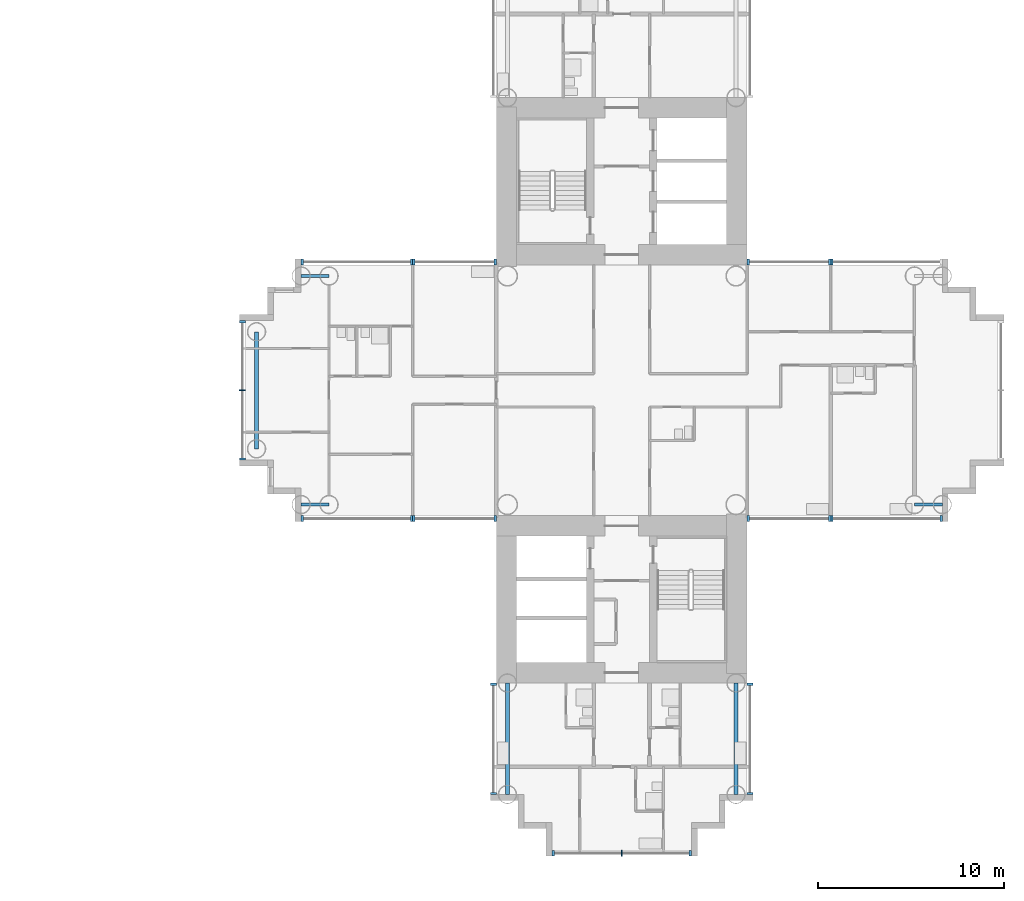
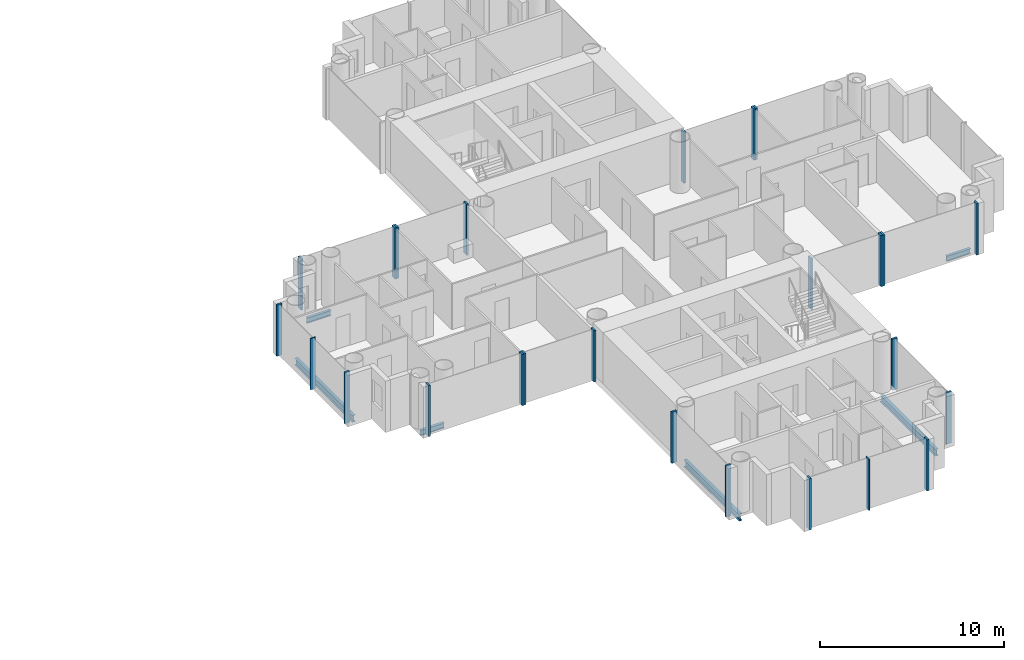
# One storey, part 5 of 22: 25 members, 6 beams, 12 elements without a shape of their own.
"""IFC4 building model written with IfcOpenShell, lengths in metres."""

from ifc_helpers import new_model, si_unit, direction, frame, origin, origin_2d, place, context, subcontext, project, spatial, rectangle, i_section, extrude, material, layer, layer_set, material_profile, profile_set, type_object, element, aggregate, save


model = new_model("IFC4")

# Units and contexts
model_context = context("Model", 3, precision=1e-05, world=origin(), true_north=direction((0.0, 1.0)))
body_context = subcontext(model_context, "Body", "Model", "MODEL_VIEW")
ifc_project = project(units=[si_unit("LENGTHUNIT", "METRE"), si_unit("AREAUNIT", "SQUARE_METRE"), si_unit("VOLUMEUNIT", "CUBIC_METRE"), si_unit("PLANEANGLEUNIT", "RADIAN"), si_unit("MASSUNIT", "GRAM", prefix="KILO")], contexts=[model_context])

# Site, building, storey
site_placement = place(None, origin())
site = spatial("IfcSite", under=ifc_project, at=site_placement, CompositionType="ELEMENT")
building_placement = place(site_placement, origin())
building = spatial("IfcBuilding", under=site, at=building_placement, Name="Ipe Terrace Towers", CompositionType="ELEMENT")
storey_placement = place(building_placement, frame((0.0, 0.0, 61.89990234375)))
storey = spatial("IfcBuildingStorey", under=building, at=storey_placement, Name="L16", CompositionType="ELEMENT", Elevation=61.89990234375)

# Beams
ifc_material_1 = material(Name="Steel S355", Category="steel")
ifc_material_profile_1 = material_profile(ifc_material_1, i_section(OverallWidth=0.175048828125, OverallDepth=0.35009765625, WebThickness=0.007080078125, FlangeThickness=0.010986328125, at=origin_2d()), Name="H-350x175x7x11")
ifc_profile_set_1 = profile_set([ifc_material_profile_1], Name="Steel S355")
beam_type_1 = type_object("IfcBeamType", Name="H04 EDGE BEAM H-350x175x7x11", PredefinedType="BEAM", material=ifc_profile_set_1)
for number, where, z_axis, x_axis, name in (
    (1, (20.25, 6.14990234375, -0.574951171875), (-1.0, 0.0, 0.0), (0.0, -1.0, 0.0), "Edge beam T2-EB-B03-B05"),
    (2, (20.25, -6.14990234375, -0.574951171875), (-1.0, 0.0, 0.0), (0.0, -1.0, 0.0), "Edge beam T2-EB-B04-B06"),
    (3, (51.75, -6.14990234375, -0.574951171875), (1.0, 0.0, 0.0), (0.0, 1.0, 0.0), "Edge beam T2-EB-D03-D05"),
):
    element("IfcBeam", number, at=place(storey_placement, frame(where, z_axis=z_axis, x_axis=x_axis)), inside=storey, type_object=beam_type_1, Name=name, PredefinedType="BEAM", context=body_context, shape_type="SweptSolid", body=[
        extrude(i_section(OverallWidth=0.175048828125, OverallDepth=0.35009765625, WebThickness=0.007080078125, FlangeThickness=0.010986328125, at=origin_2d()), origin(), (0.0, 0.0, 1.0), 1.5),
    ])
ifc_material_2 = material(Name="Steel S355", Category="steel")
ifc_material_profile_2 = material_profile(ifc_material_2, i_section(OverallWidth=0.199951171875, OverallDepth=0.449951171875, WebThickness=0.009033203125, FlangeThickness=0.013916015625, at=origin_2d()), Name="H-450x200x9x14")
ifc_profile_set_2 = profile_set([ifc_material_profile_2], Name="Steel S355")
beam_type_2 = type_object("IfcBeamType", Name="H08 EDGE BEAM H-450x200x9x14", PredefinedType="BEAM", material=ifc_profile_set_2)
beam_placement = place(storey_placement, frame((16.35009765625, 3.14990234375, -0.625), z_axis=(0.0, -1.0, 0.0), x_axis=(1.0, 0.0, 0.0)))
element("IfcBeam", 4, at=beam_placement, inside=storey, type_object=beam_type_2, Name="Edge beam T2-EB-B07-B08", PredefinedType="BEAM", context=body_context, shape_type="SweptSolid", body=[
    extrude(i_section(OverallWidth=0.199951171875, OverallDepth=0.449951171875, WebThickness=0.009033203125, FlangeThickness=0.013916015625, at=origin_2d()), origin(), (0.0, 0.0, 1.0), 6.2998046875),
])
for number, where, z_axis, x_axis, name in (
    (5, (42.14990234375, -15.75, -0.625), (0.0, -1.0, 0.0), (1.0, 0.0, 0.0), "Edge beam T2-EB-C01-C03"),
    (6, (29.85009765625, -15.75, -0.625), (0.0, -1.0, 0.0), (1.0, 0.0, 0.0), "Edge beam T2-EB-C02-C04"),
):
    element("IfcBeam", number, at=place(storey_placement, frame(where, z_axis=z_axis, x_axis=x_axis)), inside=storey, type_object=beam_type_2, Name=name, PredefinedType="BEAM", context=body_context, shape_type="SweptSolid", body=[
        extrude(i_section(OverallWidth=0.199951171875, OverallDepth=0.449951171875, WebThickness=0.009033203125, FlangeThickness=0.013916015625, at=origin_2d()), origin(), (0.0, 0.0, 1.0), 6.0),
    ])

# Curtain wall, members
ifc_material_3 = material(Name="Aluminium alloy 6063-T6", Category="aluminium")
ifc_layer = layer(ifc_material_3, 0.320068359375)
ifc_layer_set = layer_set([ifc_layer], Name="TOWER UNITISED CURTAIN WALL")
curtain_wall_type = type_object("IfcCurtainWallType", Name="TOWER UNITISED CURTAIN WALL", PredefinedType="NOTDEFINED", material=ifc_layer_set)
curtain_wall_1_placement = place(storey_placement, origin())
curtain_wall_1 = element("IfcCurtainWall", 7, at=curtain_wall_1_placement, inside=storey, type_object=curtain_wall_type, Name="T2-CW-L16-04a curtain wall", PredefinedType="NOTDEFINED")
ifc_material_4 = material(Name="Aluminium alloy 6063-T6", Category="aluminium")
ifc_material_profile_3 = material_profile(ifc_material_4, rectangle(XDim=0.320068359375, YDim=0.1201171875, at=origin_2d()), Name="TOWER UNITISED CORNER MULLION 320 x 120")
ifc_profile_set_3 = profile_set([ifc_material_profile_3], Name="Aluminium alloy 6063-T6")
member_type_1 = type_object("IfcMemberType", Name="TOWER UNITISED CORNER MULLION 320 x 120", PredefinedType="MULLION", material=ifc_profile_set_3)
member_1_placement = place(storey_placement, frame((42.909912109375, -21.68994140625, -0.2998046875), z_axis=(0.0, 0.0, 1.0), x_axis=(1.0, 0.0, 0.0)))
member_1 = element("IfcMember", 8, at=member_1_placement, type_object=member_type_1, Name="T2-CW-L16-04a mullion 1", PredefinedType="MULLION", context=body_context, shape_type="SweptSolid", body=[
    extrude(rectangle(XDim=0.320068359375, YDim=0.1201171875, at=origin_2d()), origin(), (0.0, 0.0, 1.0), 3.39990234375),
])
member_2_placement = place(storey_placement, frame((42.909912109375, -15.81103515625, -0.2998046875), z_axis=(0.0, 0.0, 1.0), x_axis=(1.0, 0.0, 0.0)))
member_2 = element("IfcMember", 9, at=member_2_placement, type_object=member_type_1, Name="T2-CW-L16-04a mullion 2", PredefinedType="MULLION", context=body_context, shape_type="SweptSolid", body=[
    extrude(rectangle(XDim=0.320068359375, YDim=0.1201171875, at=origin_2d()), origin(), (0.0, 0.0, 1.0), 3.39990234375),
])
aggregate(curtain_wall_1, [member_1, member_2])

curtain_wall_2_placement = place(storey_placement, origin())
curtain_wall_2 = element("IfcCurtainWall", 10, at=curtain_wall_2_placement, inside=storey, type_object=curtain_wall_type, Name="T2-CW-L16-06a curtain wall", PredefinedType="NOTDEFINED")
member_3_placement = place(storey_placement, frame((42.81005859375, -6.909912109375, -0.2998046875), z_axis=(0.0, 0.0, 1.0), x_axis=(0.0, -1.0, 0.0)))
member_3 = element("IfcMember", 11, at=member_3_placement, type_object=member_type_1, Name="T2-CW-L16-06a mullion 1", PredefinedType="MULLION", context=body_context, shape_type="SweptSolid", body=[
    extrude(rectangle(XDim=0.320068359375, YDim=0.1201171875, at=origin_2d()), origin(), (0.0, 0.0, 1.0), 3.39990234375),
])
member_4_placement = place(storey_placement, frame((47.18994140625, -6.909912109375, -0.2998046875), z_axis=(0.0, 0.0, 1.0), x_axis=(0.0, -1.0, 0.0)))
member_4 = element("IfcMember", 12, at=member_4_placement, type_object=member_type_1, Name="T2-CW-L16-06a mullion 2", PredefinedType="MULLION", context=body_context, shape_type="SweptSolid", body=[
    extrude(rectangle(XDim=0.320068359375, YDim=0.1201171875, at=origin_2d()), origin(), (0.0, 0.0, 1.0), 3.39990234375),
])
aggregate(curtain_wall_2, [member_3, member_4])

curtain_wall_3_placement = place(storey_placement, origin())
curtain_wall_3 = element("IfcCurtainWall", 13, at=curtain_wall_3_placement, inside=storey, type_object=curtain_wall_type, Name="T2-CW-L16-07a curtain wall", PredefinedType="NOTDEFINED")
member_5_placement = place(storey_placement, frame((47.31005859375, -6.909912109375, -0.2998046875), z_axis=(0.0, 0.0, 1.0), x_axis=(0.0, -1.0, 0.0)))
member_5 = element("IfcMember", 14, at=member_5_placement, type_object=member_type_1, Name="T2-CW-L16-07a mullion 1", PredefinedType="MULLION", context=body_context, shape_type="SweptSolid", body=[
    extrude(rectangle(XDim=0.320068359375, YDim=0.1201171875, at=origin_2d()), origin(), (0.0, 0.0, 1.0), 3.39990234375),
])
member_6_placement = place(storey_placement, frame((53.18994140625, -6.909912109375, -0.2998046875), z_axis=(0.0, 0.0, 1.0), x_axis=(0.0, -1.0, 0.0)))
member_6 = element("IfcMember", 15, at=member_6_placement, type_object=member_type_1, Name="T2-CW-L16-07a mullion 2", PredefinedType="MULLION", context=body_context, shape_type="SweptSolid", body=[
    extrude(rectangle(XDim=0.320068359375, YDim=0.1201171875, at=origin_2d()), origin(), (0.0, 0.0, 1.0), 3.39990234375),
])
aggregate(curtain_wall_3, [member_5, member_6])

# Curtain wall, member
curtain_wall_4_placement = place(storey_placement, origin())
curtain_wall_4 = element("IfcCurtainWall", 16, at=curtain_wall_4_placement, inside=storey, type_object=curtain_wall_type, Name="T2-CW-L16-17a curtain wall", PredefinedType="NOTDEFINED")
member_7_placement = place(storey_placement, frame((47.31005859375, 6.909912109375, -0.2998046875), z_axis=(0.0, 0.0, 1.0), x_axis=(0.0, 1.0, 0.0)))
member_7 = element("IfcMember", 17, at=member_7_placement, type_object=member_type_1, Name="T2-CW-L16-17a mullion 2", PredefinedType="MULLION", context=body_context, shape_type="SweptSolid", body=[
    extrude(rectangle(XDim=0.320068359375, YDim=0.1201171875, at=origin_2d()), origin(), (0.0, 0.0, 1.0), 3.39990234375),
])
aggregate(curtain_wall_4, [member_7])

# Curtain wall, members
curtain_wall_5_placement = place(storey_placement, origin())
curtain_wall_5 = element("IfcCurtainWall", 18, at=curtain_wall_5_placement, inside=storey, type_object=curtain_wall_type, Name="T2-CW-L16-18a curtain wall", PredefinedType="NOTDEFINED")
member_8_placement = place(storey_placement, frame((47.18994140625, 6.909912109375, -0.2998046875), z_axis=(0.0, 0.0, 1.0), x_axis=(0.0, 1.0, 0.0)))
member_8 = element("IfcMember", 19, at=member_8_placement, type_object=member_type_1, Name="T2-CW-L16-18a mullion 1", PredefinedType="MULLION", context=body_context, shape_type="SweptSolid", body=[
    extrude(rectangle(XDim=0.320068359375, YDim=0.1201171875, at=origin_2d()), origin(), (0.0, 0.0, 1.0), 3.39990234375),
])
member_9_placement = place(storey_placement, frame((42.81005859375, 6.909912109375, -0.2998046875), z_axis=(0.0, 0.0, 1.0), x_axis=(0.0, 1.0, 0.0)))
member_9 = element("IfcMember", 20, at=member_9_placement, type_object=member_type_1, Name="T2-CW-L16-18a mullion 2", PredefinedType="MULLION", context=body_context, shape_type="SweptSolid", body=[
    extrude(rectangle(XDim=0.320068359375, YDim=0.1201171875, at=origin_2d()), origin(), (0.0, 0.0, 1.0), 3.39990234375),
])
aggregate(curtain_wall_5, [member_8, member_9])

curtain_wall_6_placement = place(storey_placement, origin())
curtain_wall_6 = element("IfcCurtainWall", 21, at=curtain_wall_6_placement, inside=storey, type_object=curtain_wall_type, Name="T2-CW-L16-32a curtain wall", PredefinedType="NOTDEFINED")
member_10_placement = place(storey_placement, frame((29.18994140625, 6.909912109375, -0.2998046875), z_axis=(0.0, 0.0, 1.0), x_axis=(0.0, 1.0, 0.0)))
member_10 = element("IfcMember", 22, at=member_10_placement, type_object=member_type_1, Name="T2-CW-L16-32a mullion 1", PredefinedType="MULLION", context=body_context, shape_type="SweptSolid", body=[
    extrude(rectangle(XDim=0.320068359375, YDim=0.1201171875, at=origin_2d()), origin(), (0.0, 0.0, 1.0), 3.39990234375),
])
member_11_placement = place(storey_placement, frame((24.81005859375, 6.909912109375, -0.2998046875), z_axis=(0.0, 0.0, 1.0), x_axis=(0.0, 1.0, 0.0)))
member_11 = element("IfcMember", 23, at=member_11_placement, type_object=member_type_1, Name="T2-CW-L16-32a mullion 2", PredefinedType="MULLION", context=body_context, shape_type="SweptSolid", body=[
    extrude(rectangle(XDim=0.320068359375, YDim=0.1201171875, at=origin_2d()), origin(), (0.0, 0.0, 1.0), 3.39990234375),
])
aggregate(curtain_wall_6, [member_10, member_11])

curtain_wall_7_placement = place(storey_placement, origin())
curtain_wall_7 = element("IfcCurtainWall", 24, at=curtain_wall_7_placement, inside=storey, type_object=curtain_wall_type, Name="T2-CW-L16-33a curtain wall", PredefinedType="NOTDEFINED")
member_12_placement = place(storey_placement, frame((24.68994140625, 6.909912109375, -0.2998046875), z_axis=(0.0, 0.0, 1.0), x_axis=(0.0, 1.0, 0.0)))
member_12 = element("IfcMember", 25, at=member_12_placement, type_object=member_type_1, Name="T2-CW-L16-33a mullion 1", PredefinedType="MULLION", context=body_context, shape_type="SweptSolid", body=[
    extrude(rectangle(XDim=0.320068359375, YDim=0.1201171875, at=origin_2d()), origin(), (0.0, 0.0, 1.0), 3.39990234375),
])
member_13_placement = place(storey_placement, frame((18.81005859375, 6.909912109375, -0.2998046875), z_axis=(0.0, 0.0, 1.0), x_axis=(0.0, 1.0, 0.0)))
member_13 = element("IfcMember", 26, at=member_13_placement, type_object=member_type_1, Name="T2-CW-L16-33a mullion 2", PredefinedType="MULLION", context=body_context, shape_type="SweptSolid", body=[
    extrude(rectangle(XDim=0.320068359375, YDim=0.1201171875, at=origin_2d()), origin(), (0.0, 0.0, 1.0), 3.39990234375),
])
aggregate(curtain_wall_7, [member_12, member_13])

curtain_wall_8_placement = place(storey_placement, origin())
curtain_wall_8 = element("IfcCurtainWall", 27, at=curtain_wall_8_placement, inside=storey, type_object=curtain_wall_type, Name="T2-CW-L16-38a curtain wall", PredefinedType="NOTDEFINED")
member_14_placement = place(storey_placement, frame((15.590087890625, 3.68994140625, -0.2998046875), z_axis=(0.0, 0.0, 1.0), x_axis=(-1.0, 0.0, 0.0)))
member_14 = element("IfcMember", 28, at=member_14_placement, type_object=member_type_1, Name="T2-CW-L16-38a mullion 1", PredefinedType="MULLION", context=body_context, shape_type="SweptSolid", body=[
    extrude(rectangle(XDim=0.320068359375, YDim=0.1201171875, at=origin_2d()), origin(), (0.0, 0.0, 1.0), 3.39990234375),
])
member_15_placement = place(storey_placement, frame((15.590087890625, -3.68994140625, -0.2998046875), z_axis=(0.0, 0.0, 1.0), x_axis=(-1.0, 0.0, 0.0)))
member_15 = element("IfcMember", 29, at=member_15_placement, type_object=member_type_1, Name="T2-CW-L16-38a mullion 3", PredefinedType="MULLION", context=body_context, shape_type="SweptSolid", body=[
    extrude(rectangle(XDim=0.320068359375, YDim=0.1201171875, at=origin_2d()), origin(), (0.0, 0.0, 1.0), 3.39990234375),
])

curtain_wall_9_placement = place(storey_placement, origin())
curtain_wall_9 = element("IfcCurtainWall", 30, at=curtain_wall_9_placement, inside=storey, type_object=curtain_wall_type, Name="T2-CW-L16-43a curtain wall", PredefinedType="NOTDEFINED")
member_16_placement = place(storey_placement, frame((18.81005859375, -6.909912109375, -0.2998046875), z_axis=(0.0, 0.0, 1.0), x_axis=(0.0, -1.0, 0.0)))
member_16 = element("IfcMember", 31, at=member_16_placement, type_object=member_type_1, Name="T2-CW-L16-43a mullion 1", PredefinedType="MULLION", context=body_context, shape_type="SweptSolid", body=[
    extrude(rectangle(XDim=0.320068359375, YDim=0.1201171875, at=origin_2d()), origin(), (0.0, 0.0, 1.0), 3.39990234375),
])
member_17_placement = place(storey_placement, frame((24.68994140625, -6.909912109375, -0.2998046875), z_axis=(0.0, 0.0, 1.0), x_axis=(0.0, -1.0, 0.0)))
member_17 = element("IfcMember", 32, at=member_17_placement, type_object=member_type_1, Name="T2-CW-L16-43a mullion 2", PredefinedType="MULLION", context=body_context, shape_type="SweptSolid", body=[
    extrude(rectangle(XDim=0.320068359375, YDim=0.1201171875, at=origin_2d()), origin(), (0.0, 0.0, 1.0), 3.39990234375),
])
aggregate(curtain_wall_9, [member_16, member_17])

curtain_wall_10_placement = place(storey_placement, origin())
curtain_wall_10 = element("IfcCurtainWall", 33, at=curtain_wall_10_placement, inside=storey, type_object=curtain_wall_type, Name="T2-CW-L16-44a curtain wall", PredefinedType="NOTDEFINED")
member_18_placement = place(storey_placement, frame((24.81005859375, -6.909912109375, -0.2998046875), z_axis=(0.0, 0.0, 1.0), x_axis=(0.0, -1.0, 0.0)))
member_18 = element("IfcMember", 34, at=member_18_placement, type_object=member_type_1, Name="T2-CW-L16-44a mullion 1", PredefinedType="MULLION", context=body_context, shape_type="SweptSolid", body=[
    extrude(rectangle(XDim=0.320068359375, YDim=0.1201171875, at=origin_2d()), origin(), (0.0, 0.0, 1.0), 3.39990234375),
])
member_19_placement = place(storey_placement, frame((29.18994140625, -6.909912109375, -0.2998046875), z_axis=(0.0, 0.0, 1.0), x_axis=(0.0, -1.0, 0.0)))
member_19 = element("IfcMember", 35, at=member_19_placement, type_object=member_type_1, Name="T2-CW-L16-44a mullion 2", PredefinedType="MULLION", context=body_context, shape_type="SweptSolid", body=[
    extrude(rectangle(XDim=0.320068359375, YDim=0.1201171875, at=origin_2d()), origin(), (0.0, 0.0, 1.0), 3.39990234375),
])
aggregate(curtain_wall_10, [member_18, member_19])

curtain_wall_11_placement = place(storey_placement, origin())
curtain_wall_11 = element("IfcCurtainWall", 36, at=curtain_wall_11_placement, inside=storey, type_object=curtain_wall_type, Name="T2-CW-L16-46b curtain wall", PredefinedType="NOTDEFINED")
member_20_placement = place(storey_placement, frame((29.090087890625, -15.81103515625, -0.2998046875), z_axis=(0.0, 0.0, 1.0), x_axis=(-1.0, 0.0, 0.0)))
member_20 = element("IfcMember", 37, at=member_20_placement, type_object=member_type_1, Name="T2-CW-L16-46b mullion 1", PredefinedType="MULLION", context=body_context, shape_type="SweptSolid", body=[
    extrude(rectangle(XDim=0.320068359375, YDim=0.1201171875, at=origin_2d()), origin(), (0.0, 0.0, 1.0), 3.39990234375),
])
member_21_placement = place(storey_placement, frame((29.090087890625, -21.68994140625, -0.2998046875), z_axis=(0.0, 0.0, 1.0), x_axis=(-1.0, 0.0, 0.0)))
member_21 = element("IfcMember", 38, at=member_21_placement, type_object=member_type_1, Name="T2-CW-L16-46b mullion 2", PredefinedType="MULLION", context=body_context, shape_type="SweptSolid", body=[
    extrude(rectangle(XDim=0.320068359375, YDim=0.1201171875, at=origin_2d()), origin(), (0.0, 0.0, 1.0), 3.39990234375),
])
aggregate(curtain_wall_11, [member_20, member_21])

curtain_wall_12_placement = place(storey_placement, origin())
curtain_wall_12 = element("IfcCurtainWall", 39, at=curtain_wall_12_placement, inside=storey, type_object=curtain_wall_type, Name="T2-CW-L16-51a curtain wall", PredefinedType="NOTDEFINED")
member_22_placement = place(storey_placement, frame((32.31005859375, -24.909912109375, -0.2998046875), z_axis=(0.0, 0.0, 1.0), x_axis=(0.0, -1.0, 0.0)))
member_22 = element("IfcMember", 40, at=member_22_placement, type_object=member_type_1, Name="T2-CW-L16-51a mullion 1", PredefinedType="MULLION", context=body_context, shape_type="SweptSolid", body=[
    extrude(rectangle(XDim=0.320068359375, YDim=0.1201171875, at=origin_2d()), origin(), (0.0, 0.0, 1.0), 3.39990234375),
])
member_23_placement = place(storey_placement, frame((39.68994140625, -24.909912109375, -0.2998046875), z_axis=(0.0, 0.0, 1.0), x_axis=(0.0, -1.0, 0.0)))
member_23 = element("IfcMember", 41, at=member_23_placement, type_object=member_type_1, Name="T2-CW-L16-51a mullion 3", PredefinedType="MULLION", context=body_context, shape_type="SweptSolid", body=[
    extrude(rectangle(XDim=0.320068359375, YDim=0.1201171875, at=origin_2d()), origin(), (0.0, 0.0, 1.0), 3.39990234375),
])

# Member
ifc_material_5 = material(Name="Aluminium alloy 6063-T6", Category="aluminium")
ifc_material_profile_4 = material_profile(ifc_material_5, rectangle(XDim=0.320068359375, YDim=0.06494140625, at=origin_2d()), Name="TOWER UNITISED MULLION 320 x 65")
ifc_profile_set_4 = profile_set([ifc_material_profile_4], Name="Aluminium alloy 6063-T6")
member_type_2 = type_object("IfcMemberType", Name="TOWER UNITISED MULLION 320 x 65", PredefinedType="MULLION", material=ifc_profile_set_4)
member_24_placement = place(storey_placement, frame((15.590087890625, 0.0, -0.2998046875), z_axis=(0.0, 0.0, 1.0), x_axis=(-1.0, 0.0, 0.0)))
member_24 = element("IfcMember", 42, at=member_24_placement, type_object=member_type_2, Name="T2-CW-L16-38a mullion 2", PredefinedType="MULLION", context=body_context, shape_type="SweptSolid", body=[
    extrude(rectangle(XDim=0.320068359375, YDim=0.06494140625, at=origin_2d()), origin(), (0.0, 0.0, 1.0), 3.39990234375),
])

aggregate(curtain_wall_8, [member_14, member_24, member_15])

member_25_placement = place(storey_placement, frame((36.0, -24.909912109375, -0.2998046875), z_axis=(0.0, 0.0, 1.0), x_axis=(0.0, -1.0, 0.0)))
member_25 = element("IfcMember", 43, at=member_25_placement, type_object=member_type_2, Name="T2-CW-L16-51a mullion 2", PredefinedType="MULLION", context=body_context, shape_type="SweptSolid", body=[
    extrude(rectangle(XDim=0.320068359375, YDim=0.06494140625, at=origin_2d()), origin(), (0.0, 0.0, 1.0), 3.39990234375),
])

aggregate(curtain_wall_12, [member_22, member_25, member_23])

save(model, "model.ifc")
